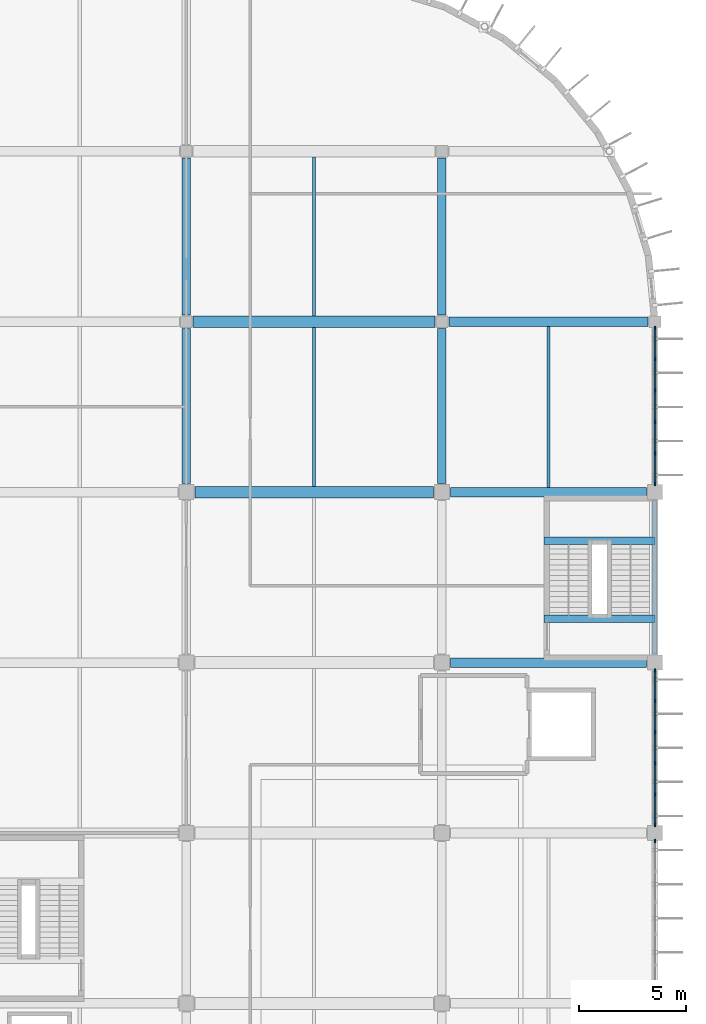
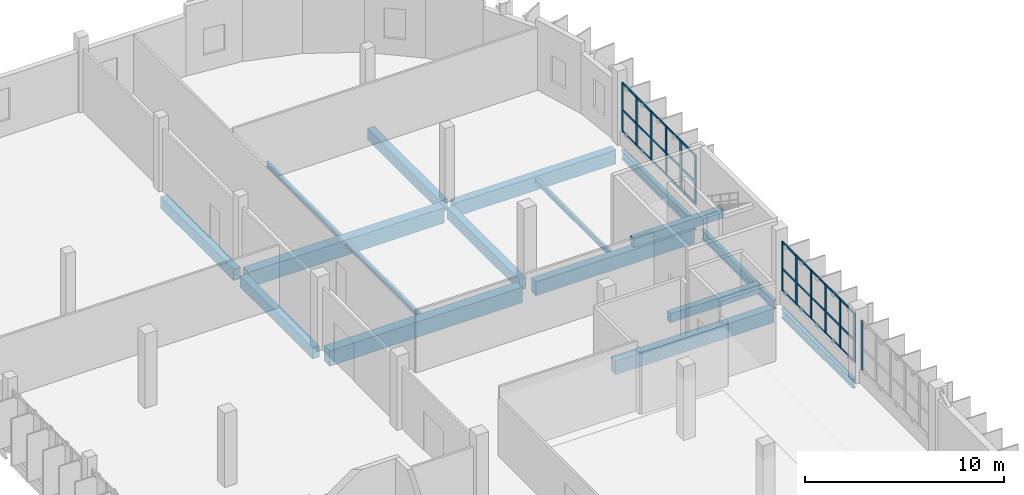
# One storey, part 49 of 93: 43 members, 17 beams, 3 elements without a shape of their own.
"""IFC4 building model written with IfcOpenShell, lengths in metres."""

from ifc_helpers import new_model, si_unit, direction, frame, origin, origin_2d, place, context, subcontext, project, spatial, rectangle, i_section, extrude, material, layer, layer_set, material_profile, profile_set, type_object, element, aggregate, save


model = new_model("IFC4")

# Units and contexts
model_context = context("Model", 3, precision=1e-05, world=origin(), true_north=direction((0.0, 1.0)))
body_context = subcontext(model_context, "Body", "Model", "MODEL_VIEW")
ifc_project = project(units=[si_unit("LENGTHUNIT", "METRE"), si_unit("AREAUNIT", "SQUARE_METRE"), si_unit("VOLUMEUNIT", "CUBIC_METRE"), si_unit("PLANEANGLEUNIT", "RADIAN"), si_unit("MASSUNIT", "GRAM", prefix="KILO")], contexts=[model_context])

# Site, building, storey
site_placement = place(None, origin())
site = spatial("IfcSite", under=ifc_project, at=site_placement, CompositionType="ELEMENT")
building_placement = place(site_placement, origin())
building = spatial("IfcBuilding", under=site, at=building_placement, Name="Drelvana Railside Aquatics Centre", CompositionType="ELEMENT")
storey_placement = place(building_placement, frame((0.0, 0.0, 5.39990234375)))
storey = spatial("IfcBuildingStorey", under=building, at=storey_placement, Name="L01", CompositionType="ELEMENT", Elevation=5.39990234375)

# Curtain wall, member
ifc_material_1 = material(Name="Bronze-anodised aluminium curtain wall", Category="aluminium")
ifc_layer = layer(ifc_material_1, 0.175048828125, Name="Bronze-anodised aluminium curtain wall")
ifc_layer_set = layer_set([ifc_layer], Name="Bronze-anodised aluminium curtain wall")
curtain_wall_type = type_object("IfcCurtainWallType", Name="CW-Z6-WING", PredefinedType="NOTDEFINED", material=ifc_layer_set)
curtain_wall_1_placement = place(storey_placement, origin())
curtain_wall_1 = element("IfcCurtainWall", 1, at=curtain_wall_1_placement, inside=storey, type_object=curtain_wall_type, Name="Curtain wall CW-06-176", PredefinedType="NOTDEFINED")
ifc_material_2 = material(Name="Bronze-anodised aluminium 6063-T6", Category="aluminium")
ifc_material_profile_1 = material_profile(ifc_material_2, rectangle(XDim=0.06494140625, YDim=0.175048828125, at=origin_2d()), Name="ALU-M 65x175")
ifc_profile_set_1 = profile_set([ifc_material_profile_1], Name="Bronze-anodised aluminium 6063-T6")
member_type_1 = type_object("IfcMemberType", Name="CW-Z6-WING-MUL", PredefinedType="MULLION", material=ifc_profile_set_1)
member_1_placement = place(storey_placement, frame((184.0, 63.62353515625, 0.794189453125), z_axis=(0.0, 0.0, 1.0), x_axis=(-1.0, 0.0, 0.0)))
member_1 = element("IfcMember", 2, at=member_1_placement, type_object=member_type_1, Name="CW-06 mullion 6", PredefinedType="MULLION", context=body_context, shape_type="SweptSolid", body=[
    extrude(rectangle(XDim=0.06494140625, YDim=0.175048828125, at=origin_2d()), origin(), (0.0, 0.0, 1.0), 3.005859375),
])
aggregate(curtain_wall_1, [member_1])

# Curtain wall, members
curtain_wall_2_placement = place(storey_placement, origin())
curtain_wall_2 = element("IfcCurtainWall", 3, at=curtain_wall_2_placement, inside=storey, type_object=curtain_wall_type, Name="Curtain wall CW-06-180", PredefinedType="NOTDEFINED")
member_2_placement = place(storey_placement, frame((184.0, 64.37646484375, 0.794189453125), z_axis=(0.0, 0.0, 1.0), x_axis=(-1.0, 0.0, 0.0)))
member_2 = element("IfcMember", 4, at=member_2_placement, type_object=member_type_1, Name="CW-06 mullion 1", PredefinedType="MULLION", context=body_context, shape_type="SweptSolid", body=[
    extrude(rectangle(XDim=0.06494140625, YDim=0.175048828125, at=origin_2d()), origin(), (0.0, 0.0, 1.0), 3.005859375),
])
member_3_placement = place(storey_placement, frame((184.0, 65.806396484375, 0.794189453125), z_axis=(0.0, 0.0, 1.0), x_axis=(-1.0, 0.0, 0.0)))
member_3 = element("IfcMember", 5, at=member_3_placement, type_object=member_type_1, Name="CW-06 mullion 2", PredefinedType="MULLION", context=body_context, shape_type="SweptSolid", body=[
    extrude(rectangle(XDim=0.06494140625, YDim=0.175048828125, at=origin_2d()), origin(), (0.0, 0.0, 1.0), 3.005859375),
])
member_4_placement = place(storey_placement, frame((184.0, 67.268798828125, 0.794189453125), z_axis=(0.0, 0.0, 1.0), x_axis=(-1.0, 0.0, 0.0)))
member_4 = element("IfcMember", 6, at=member_4_placement, type_object=member_type_1, Name="CW-06 mullion 3", PredefinedType="MULLION", context=body_context, shape_type="SweptSolid", body=[
    extrude(rectangle(XDim=0.06494140625, YDim=0.175048828125, at=origin_2d()), origin(), (0.0, 0.0, 1.0), 3.005859375),
])
member_5_placement = place(storey_placement, frame((184.0, 68.731201171875, 0.794189453125), z_axis=(0.0, 0.0, 1.0), x_axis=(-1.0, 0.0, 0.0)))
member_5 = element("IfcMember", 7, at=member_5_placement, type_object=member_type_1, Name="CW-06 mullion 4", PredefinedType="MULLION", context=body_context, shape_type="SweptSolid", body=[
    extrude(rectangle(XDim=0.06494140625, YDim=0.175048828125, at=origin_2d()), origin(), (0.0, 0.0, 1.0), 3.005859375),
])
member_6_placement = place(storey_placement, frame((184.0, 70.193603515625, 0.794189453125), z_axis=(0.0, 0.0, 1.0), x_axis=(-1.0, 0.0, 0.0)))
member_6 = element("IfcMember", 8, at=member_6_placement, type_object=member_type_1, Name="CW-06 mullion 5", PredefinedType="MULLION", context=body_context, shape_type="SweptSolid", body=[
    extrude(rectangle(XDim=0.06494140625, YDim=0.175048828125, at=origin_2d()), origin(), (0.0, 0.0, 1.0), 3.005859375),
])
member_7_placement = place(storey_placement, frame((184.0, 71.62353515625, 0.794189453125), z_axis=(0.0, 0.0, 1.0), x_axis=(-1.0, 0.0, 0.0)))
member_7 = element("IfcMember", 9, at=member_7_placement, type_object=member_type_1, Name="CW-06 mullion 6", PredefinedType="MULLION", context=body_context, shape_type="SweptSolid", body=[
    extrude(rectangle(XDim=0.06494140625, YDim=0.175048828125, at=origin_2d()), origin(), (0.0, 0.0, 1.0), 3.005859375),
])

curtain_wall_3_placement = place(storey_placement, origin())
curtain_wall_3 = element("IfcCurtainWall", 10, at=curtain_wall_3_placement, inside=storey, type_object=curtain_wall_type, Name="Curtain wall CW-06-185", PredefinedType="NOTDEFINED")
member_8_placement = place(storey_placement, frame((184.0, 80.37646484375, 0.794189453125), z_axis=(0.0, 0.0, 1.0), x_axis=(-1.0, 0.0, 0.0)))
member_8 = element("IfcMember", 11, at=member_8_placement, type_object=member_type_1, Name="CW-06 mullion 1", PredefinedType="MULLION", context=body_context, shape_type="SweptSolid", body=[
    extrude(rectangle(XDim=0.06494140625, YDim=0.175048828125, at=origin_2d()), origin(), (0.0, 0.0, 1.0), 3.005859375),
])
member_9_placement = place(storey_placement, frame((184.0, 81.8212890625, 0.794189453125), z_axis=(0.0, 0.0, 1.0), x_axis=(-1.0, 0.0, 0.0)))
member_9 = element("IfcMember", 12, at=member_9_placement, type_object=member_type_1, Name="CW-06 mullion 2", PredefinedType="MULLION", context=body_context, shape_type="SweptSolid", body=[
    extrude(rectangle(XDim=0.06494140625, YDim=0.175048828125, at=origin_2d()), origin(), (0.0, 0.0, 1.0), 3.005859375),
])
member_10_placement = place(storey_placement, frame((184.0, 83.298828125, 0.794189453125), z_axis=(0.0, 0.0, 1.0), x_axis=(-1.0, 0.0, 0.0)))
member_10 = element("IfcMember", 13, at=member_10_placement, type_object=member_type_1, Name="CW-06 mullion 3", PredefinedType="MULLION", context=body_context, shape_type="SweptSolid", body=[
    extrude(rectangle(XDim=0.06494140625, YDim=0.175048828125, at=origin_2d()), origin(), (0.0, 0.0, 1.0), 3.005859375),
])
member_11_placement = place(storey_placement, frame((184.0, 84.776123046875, 0.794189453125), z_axis=(0.0, 0.0, 1.0), x_axis=(-1.0, 0.0, 0.0)))
member_11 = element("IfcMember", 14, at=member_11_placement, type_object=member_type_1, Name="CW-06 mullion 4", PredefinedType="MULLION", context=body_context, shape_type="SweptSolid", body=[
    extrude(rectangle(XDim=0.06494140625, YDim=0.175048828125, at=origin_2d()), origin(), (0.0, 0.0, 1.0), 3.005859375),
])
member_12_placement = place(storey_placement, frame((184.0, 86.253662109375, 0.794189453125), z_axis=(0.0, 0.0, 1.0), x_axis=(-1.0, 0.0, 0.0)))
member_12 = element("IfcMember", 15, at=member_12_placement, type_object=member_type_1, Name="CW-06 mullion 5", PredefinedType="MULLION", context=body_context, shape_type="SweptSolid", body=[
    extrude(rectangle(XDim=0.06494140625, YDim=0.175048828125, at=origin_2d()), origin(), (0.0, 0.0, 1.0), 3.005859375),
])
member_13_placement = place(storey_placement, frame((184.0, 87.698486328125, 0.794189453125), z_axis=(0.0, 0.0, 1.0), x_axis=(-1.0, 0.0, 0.0)))
member_13 = element("IfcMember", 16, at=member_13_placement, type_object=member_type_1, Name="CW-06 mullion 6", PredefinedType="MULLION", context=body_context, shape_type="SweptSolid", body=[
    extrude(rectangle(XDim=0.06494140625, YDim=0.175048828125, at=origin_2d()), origin(), (0.0, 0.0, 1.0), 3.005859375),
])

# Member
ifc_material_profile_2 = material_profile(ifc_material_2, rectangle(XDim=0.1201171875, YDim=0.06005859375, at=origin_2d()), Name="ALU-T 60x120")
ifc_profile_set_2 = profile_set([ifc_material_profile_2], Name="Bronze-anodised aluminium 6063-T6")
member_type_2 = type_object("IfcMemberType", Name="CW-Z6-WING-TRN", PredefinedType="USERDEFINED", material=ifc_profile_set_2)
member_14_placement = place(storey_placement, frame((184.0, 64.404052734375, 0.82421875), z_axis=(0.0, 1.0, 0.0), x_axis=(0.0, 0.0, 1.0)))
member_14 = element("IfcMember", 17, at=member_14_placement, type_object=member_type_2, Name="CW-06 transom 1.1", ObjectType="TRANSOM", PredefinedType="USERDEFINED", context=body_context, shape_type="SweptSolid", body=[
    extrude(rectangle(XDim=0.1201171875, YDim=0.06005859375, at=origin_2d()), origin(), (0.0, 0.0, 1.0), 1.374755859375),
])

member_15_placement = place(storey_placement, frame((184.0, 64.404052734375, 2.147216796875), z_axis=(0.0, 1.0, 0.0), x_axis=(0.0, 0.0, 1.0)))
member_15 = element("IfcMember", 18, at=member_15_placement, type_object=member_type_2, Name="CW-06 transom 1.2", ObjectType="TRANSOM", PredefinedType="USERDEFINED", context=body_context, shape_type="SweptSolid", body=[
    extrude(rectangle(XDim=0.1201171875, YDim=0.06005859375, at=origin_2d()), origin(), (0.0, 0.0, 1.0), 1.374755859375),
])

member_16_placement = place(storey_placement, frame((184.0, 64.404052734375, 3.77001953125), z_axis=(0.0, 1.0, 0.0), x_axis=(0.0, 0.0, 1.0)))
member_16 = element("IfcMember", 19, at=member_16_placement, type_object=member_type_2, Name="CW-06 transom 1.3", ObjectType="TRANSOM", PredefinedType="USERDEFINED", context=body_context, shape_type="SweptSolid", body=[
    extrude(rectangle(XDim=0.1201171875, YDim=0.06005859375, at=origin_2d()), origin(), (0.0, 0.0, 1.0), 1.374755859375),
])

member_17_placement = place(storey_placement, frame((184.0, 65.833984375, 0.82421875), z_axis=(0.0, 1.0, 0.0), x_axis=(0.0, 0.0, 1.0)))
member_17 = element("IfcMember", 20, at=member_17_placement, type_object=member_type_2, Name="CW-06 transom 2.1", ObjectType="TRANSOM", PredefinedType="USERDEFINED", context=body_context, shape_type="SweptSolid", body=[
    extrude(rectangle(XDim=0.1201171875, YDim=0.06005859375, at=origin_2d()), origin(), (0.0, 0.0, 1.0), 1.4072265625),
])

member_18_placement = place(storey_placement, frame((184.0, 65.833984375, 2.147216796875), z_axis=(0.0, 1.0, 0.0), x_axis=(0.0, 0.0, 1.0)))
member_18 = element("IfcMember", 21, at=member_18_placement, type_object=member_type_2, Name="CW-06 transom 2.2", ObjectType="TRANSOM", PredefinedType="USERDEFINED", context=body_context, shape_type="SweptSolid", body=[
    extrude(rectangle(XDim=0.1201171875, YDim=0.06005859375, at=origin_2d()), origin(), (0.0, 0.0, 1.0), 1.4072265625),
])

member_19_placement = place(storey_placement, frame((184.0, 65.833984375, 3.77001953125), z_axis=(0.0, 1.0, 0.0), x_axis=(0.0, 0.0, 1.0)))
member_19 = element("IfcMember", 22, at=member_19_placement, type_object=member_type_2, Name="CW-06 transom 2.3", ObjectType="TRANSOM", PredefinedType="USERDEFINED", context=body_context, shape_type="SweptSolid", body=[
    extrude(rectangle(XDim=0.1201171875, YDim=0.06005859375, at=origin_2d()), origin(), (0.0, 0.0, 1.0), 1.4072265625),
])

member_20_placement = place(storey_placement, frame((184.0, 67.29638671875, 0.82421875), z_axis=(0.0, 1.0, 0.0), x_axis=(0.0, 0.0, 1.0)))
member_20 = element("IfcMember", 23, at=member_20_placement, type_object=member_type_2, Name="CW-06 transom 3.1", ObjectType="TRANSOM", PredefinedType="USERDEFINED", context=body_context, shape_type="SweptSolid", body=[
    extrude(rectangle(XDim=0.1201171875, YDim=0.06005859375, at=origin_2d()), origin(), (0.0, 0.0, 1.0), 1.4072265625),
])

member_21_placement = place(storey_placement, frame((184.0, 67.29638671875, 2.147216796875), z_axis=(0.0, 1.0, 0.0), x_axis=(0.0, 0.0, 1.0)))
member_21 = element("IfcMember", 24, at=member_21_placement, type_object=member_type_2, Name="CW-06 transom 3.2", ObjectType="TRANSOM", PredefinedType="USERDEFINED", context=body_context, shape_type="SweptSolid", body=[
    extrude(rectangle(XDim=0.1201171875, YDim=0.06005859375, at=origin_2d()), origin(), (0.0, 0.0, 1.0), 1.4072265625),
])

member_22_placement = place(storey_placement, frame((184.0, 67.29638671875, 3.77001953125), z_axis=(0.0, 1.0, 0.0), x_axis=(0.0, 0.0, 1.0)))
member_22 = element("IfcMember", 25, at=member_22_placement, type_object=member_type_2, Name="CW-06 transom 3.3", ObjectType="TRANSOM", PredefinedType="USERDEFINED", context=body_context, shape_type="SweptSolid", body=[
    extrude(rectangle(XDim=0.1201171875, YDim=0.06005859375, at=origin_2d()), origin(), (0.0, 0.0, 1.0), 1.4072265625),
])

member_23_placement = place(storey_placement, frame((184.0, 68.7587890625, 0.82421875), z_axis=(0.0, 1.0, 0.0), x_axis=(0.0, 0.0, 1.0)))
member_23 = element("IfcMember", 26, at=member_23_placement, type_object=member_type_2, Name="CW-06 transom 4.1", ObjectType="TRANSOM", PredefinedType="USERDEFINED", context=body_context, shape_type="SweptSolid", body=[
    extrude(rectangle(XDim=0.1201171875, YDim=0.06005859375, at=origin_2d()), origin(), (0.0, 0.0, 1.0), 1.4072265625),
])

member_24_placement = place(storey_placement, frame((184.0, 68.7587890625, 2.147216796875), z_axis=(0.0, 1.0, 0.0), x_axis=(0.0, 0.0, 1.0)))
member_24 = element("IfcMember", 27, at=member_24_placement, type_object=member_type_2, Name="CW-06 transom 4.2", ObjectType="TRANSOM", PredefinedType="USERDEFINED", context=body_context, shape_type="SweptSolid", body=[
    extrude(rectangle(XDim=0.1201171875, YDim=0.06005859375, at=origin_2d()), origin(), (0.0, 0.0, 1.0), 1.4072265625),
])

member_25_placement = place(storey_placement, frame((184.0, 68.7587890625, 3.77001953125), z_axis=(0.0, 1.0, 0.0), x_axis=(0.0, 0.0, 1.0)))
member_25 = element("IfcMember", 28, at=member_25_placement, type_object=member_type_2, Name="CW-06 transom 4.3", ObjectType="TRANSOM", PredefinedType="USERDEFINED", context=body_context, shape_type="SweptSolid", body=[
    extrude(rectangle(XDim=0.1201171875, YDim=0.06005859375, at=origin_2d()), origin(), (0.0, 0.0, 1.0), 1.4072265625),
])

member_26_placement = place(storey_placement, frame((184.0, 70.22119140625, 0.82421875), z_axis=(0.0, 1.0, 0.0), x_axis=(0.0, 0.0, 1.0)))
member_26 = element("IfcMember", 29, at=member_26_placement, type_object=member_type_2, Name="CW-06 transom 5.1", ObjectType="TRANSOM", PredefinedType="USERDEFINED", context=body_context, shape_type="SweptSolid", body=[
    extrude(rectangle(XDim=0.1201171875, YDim=0.06005859375, at=origin_2d()), origin(), (0.0, 0.0, 1.0), 1.374755859375),
])

member_27_placement = place(storey_placement, frame((184.0, 70.22119140625, 2.147216796875), z_axis=(0.0, 1.0, 0.0), x_axis=(0.0, 0.0, 1.0)))
member_27 = element("IfcMember", 30, at=member_27_placement, type_object=member_type_2, Name="CW-06 transom 5.2", ObjectType="TRANSOM", PredefinedType="USERDEFINED", context=body_context, shape_type="SweptSolid", body=[
    extrude(rectangle(XDim=0.1201171875, YDim=0.06005859375, at=origin_2d()), origin(), (0.0, 0.0, 1.0), 1.374755859375),
])

member_28_placement = place(storey_placement, frame((184.0, 70.22119140625, 3.77001953125), z_axis=(0.0, 1.0, 0.0), x_axis=(0.0, 0.0, 1.0)))
member_28 = element("IfcMember", 31, at=member_28_placement, type_object=member_type_2, Name="CW-06 transom 5.3", ObjectType="TRANSOM", PredefinedType="USERDEFINED", context=body_context, shape_type="SweptSolid", body=[
    extrude(rectangle(XDim=0.1201171875, YDim=0.06005859375, at=origin_2d()), origin(), (0.0, 0.0, 1.0), 1.374755859375),
])

aggregate(curtain_wall_2, [member_2, member_3, member_4, member_5, member_6, member_7, member_14, member_15, member_16, member_17, member_18, member_19, member_20, member_21, member_22, member_23, member_24, member_25, member_26, member_27, member_28])

member_29_placement = place(storey_placement, frame((184.0, 80.404052734375, 0.82421875), z_axis=(0.0, 1.0, 0.0), x_axis=(0.0, 0.0, 1.0)))
member_29 = element("IfcMember", 32, at=member_29_placement, type_object=member_type_2, Name="CW-06 transom 1.1", ObjectType="TRANSOM", PredefinedType="USERDEFINED", context=body_context, shape_type="SweptSolid", body=[
    extrude(rectangle(XDim=0.1201171875, YDim=0.06005859375, at=origin_2d()), origin(), (0.0, 0.0, 1.0), 1.389892578125),
])

member_30_placement = place(storey_placement, frame((184.0, 80.404052734375, 2.147216796875), z_axis=(0.0, 1.0, 0.0), x_axis=(0.0, 0.0, 1.0)))
member_30 = element("IfcMember", 33, at=member_30_placement, type_object=member_type_2, Name="CW-06 transom 1.2", ObjectType="TRANSOM", PredefinedType="USERDEFINED", context=body_context, shape_type="SweptSolid", body=[
    extrude(rectangle(XDim=0.1201171875, YDim=0.06005859375, at=origin_2d()), origin(), (0.0, 0.0, 1.0), 1.389892578125),
])

member_31_placement = place(storey_placement, frame((184.0, 80.404052734375, 3.77001953125), z_axis=(0.0, 1.0, 0.0), x_axis=(0.0, 0.0, 1.0)))
member_31 = element("IfcMember", 34, at=member_31_placement, type_object=member_type_2, Name="CW-06 transom 1.3", ObjectType="TRANSOM", PredefinedType="USERDEFINED", context=body_context, shape_type="SweptSolid", body=[
    extrude(rectangle(XDim=0.1201171875, YDim=0.06005859375, at=origin_2d()), origin(), (0.0, 0.0, 1.0), 1.389892578125),
])

member_32_placement = place(storey_placement, frame((184.0, 81.848876953125, 0.82421875), z_axis=(0.0, 1.0, 0.0), x_axis=(0.0, 0.0, 1.0)))
member_32 = element("IfcMember", 35, at=member_32_placement, type_object=member_type_2, Name="CW-06 transom 2.1", ObjectType="TRANSOM", PredefinedType="USERDEFINED", context=body_context, shape_type="SweptSolid", body=[
    extrude(rectangle(XDim=0.1201171875, YDim=0.06005859375, at=origin_2d()), origin(), (0.0, 0.0, 1.0), 1.42236328125),
])

member_33_placement = place(storey_placement, frame((184.0, 81.848876953125, 2.147216796875), z_axis=(0.0, 1.0, 0.0), x_axis=(0.0, 0.0, 1.0)))
member_33 = element("IfcMember", 36, at=member_33_placement, type_object=member_type_2, Name="CW-06 transom 2.2", ObjectType="TRANSOM", PredefinedType="USERDEFINED", context=body_context, shape_type="SweptSolid", body=[
    extrude(rectangle(XDim=0.1201171875, YDim=0.06005859375, at=origin_2d()), origin(), (0.0, 0.0, 1.0), 1.42236328125),
])

member_34_placement = place(storey_placement, frame((184.0, 81.848876953125, 3.77001953125), z_axis=(0.0, 1.0, 0.0), x_axis=(0.0, 0.0, 1.0)))
member_34 = element("IfcMember", 37, at=member_34_placement, type_object=member_type_2, Name="CW-06 transom 2.3", ObjectType="TRANSOM", PredefinedType="USERDEFINED", context=body_context, shape_type="SweptSolid", body=[
    extrude(rectangle(XDim=0.1201171875, YDim=0.06005859375, at=origin_2d()), origin(), (0.0, 0.0, 1.0), 1.42236328125),
])

member_35_placement = place(storey_placement, frame((184.0, 83.326416015625, 0.82421875), z_axis=(0.0, 1.0, 0.0), x_axis=(0.0, 0.0, 1.0)))
member_35 = element("IfcMember", 38, at=member_35_placement, type_object=member_type_2, Name="CW-06 transom 3.1", ObjectType="TRANSOM", PredefinedType="USERDEFINED", context=body_context, shape_type="SweptSolid", body=[
    extrude(rectangle(XDim=0.1201171875, YDim=0.06005859375, at=origin_2d()), origin(), (0.0, 0.0, 1.0), 1.42236328125),
])

member_36_placement = place(storey_placement, frame((184.0, 83.326416015625, 2.147216796875), z_axis=(0.0, 1.0, 0.0), x_axis=(0.0, 0.0, 1.0)))
member_36 = element("IfcMember", 39, at=member_36_placement, type_object=member_type_2, Name="CW-06 transom 3.2", ObjectType="TRANSOM", PredefinedType="USERDEFINED", context=body_context, shape_type="SweptSolid", body=[
    extrude(rectangle(XDim=0.1201171875, YDim=0.06005859375, at=origin_2d()), origin(), (0.0, 0.0, 1.0), 1.42236328125),
])

member_37_placement = place(storey_placement, frame((184.0, 83.326416015625, 3.77001953125), z_axis=(0.0, 1.0, 0.0), x_axis=(0.0, 0.0, 1.0)))
member_37 = element("IfcMember", 40, at=member_37_placement, type_object=member_type_2, Name="CW-06 transom 3.3", ObjectType="TRANSOM", PredefinedType="USERDEFINED", context=body_context, shape_type="SweptSolid", body=[
    extrude(rectangle(XDim=0.1201171875, YDim=0.06005859375, at=origin_2d()), origin(), (0.0, 0.0, 1.0), 1.42236328125),
])

member_38_placement = place(storey_placement, frame((184.0, 84.8037109375, 0.82421875), z_axis=(0.0, 1.0, 0.0), x_axis=(0.0, 0.0, 1.0)))
member_38 = element("IfcMember", 41, at=member_38_placement, type_object=member_type_2, Name="CW-06 transom 4.1", ObjectType="TRANSOM", PredefinedType="USERDEFINED", context=body_context, shape_type="SweptSolid", body=[
    extrude(rectangle(XDim=0.1201171875, YDim=0.06005859375, at=origin_2d()), origin(), (0.0, 0.0, 1.0), 1.42236328125),
])

member_39_placement = place(storey_placement, frame((184.0, 84.8037109375, 2.147216796875), z_axis=(0.0, 1.0, 0.0), x_axis=(0.0, 0.0, 1.0)))
member_39 = element("IfcMember", 42, at=member_39_placement, type_object=member_type_2, Name="CW-06 transom 4.2", ObjectType="TRANSOM", PredefinedType="USERDEFINED", context=body_context, shape_type="SweptSolid", body=[
    extrude(rectangle(XDim=0.1201171875, YDim=0.06005859375, at=origin_2d()), origin(), (0.0, 0.0, 1.0), 1.42236328125),
])

member_40_placement = place(storey_placement, frame((184.0, 84.8037109375, 3.77001953125), z_axis=(0.0, 1.0, 0.0), x_axis=(0.0, 0.0, 1.0)))
member_40 = element("IfcMember", 43, at=member_40_placement, type_object=member_type_2, Name="CW-06 transom 4.3", ObjectType="TRANSOM", PredefinedType="USERDEFINED", context=body_context, shape_type="SweptSolid", body=[
    extrude(rectangle(XDim=0.1201171875, YDim=0.06005859375, at=origin_2d()), origin(), (0.0, 0.0, 1.0), 1.42236328125),
])

member_41_placement = place(storey_placement, frame((184.0, 86.281005859375, 0.82421875), z_axis=(0.0, 1.0, 0.0), x_axis=(0.0, 0.0, 1.0)))
member_41 = element("IfcMember", 44, at=member_41_placement, type_object=member_type_2, Name="CW-06 transom 5.1", ObjectType="TRANSOM", PredefinedType="USERDEFINED", context=body_context, shape_type="SweptSolid", body=[
    extrude(rectangle(XDim=0.1201171875, YDim=0.06005859375, at=origin_2d()), origin(), (0.0, 0.0, 1.0), 1.389892578125),
])

member_42_placement = place(storey_placement, frame((184.0, 86.281005859375, 2.147216796875), z_axis=(0.0, 1.0, 0.0), x_axis=(0.0, 0.0, 1.0)))
member_42 = element("IfcMember", 45, at=member_42_placement, type_object=member_type_2, Name="CW-06 transom 5.2", ObjectType="TRANSOM", PredefinedType="USERDEFINED", context=body_context, shape_type="SweptSolid", body=[
    extrude(rectangle(XDim=0.1201171875, YDim=0.06005859375, at=origin_2d()), origin(), (0.0, 0.0, 1.0), 1.389892578125),
])

member_43_placement = place(storey_placement, frame((184.0, 86.281005859375, 3.77001953125), z_axis=(0.0, 1.0, 0.0), x_axis=(0.0, 0.0, 1.0)))
member_43 = element("IfcMember", 46, at=member_43_placement, type_object=member_type_2, Name="CW-06 transom 5.3", ObjectType="TRANSOM", PredefinedType="USERDEFINED", context=body_context, shape_type="SweptSolid", body=[
    extrude(rectangle(XDim=0.1201171875, YDim=0.06005859375, at=origin_2d()), origin(), (0.0, 0.0, 1.0), 1.389892578125),
])

aggregate(curtain_wall_3, [member_8, member_9, member_10, member_11, member_12, member_13, member_29, member_30, member_31, member_32, member_33, member_34, member_35, member_36, member_37, member_38, member_39, member_40, member_41, member_42, member_43])

# Beams
ifc_material_3 = material(Name="Concrete C40/50", Category="concrete")
ifc_material_profile_3 = material_profile(ifc_material_3, rectangle(XDim=0.35009765625, YDim=0.550048828125, at=origin_2d()), Name="RC 350x550")
ifc_profile_set_3 = profile_set([ifc_material_profile_3], Name="Concrete C40/50")
beam_type_1 = type_object("IfcBeamType", Name="STR-BM-BM-01-RC-350x550", PredefinedType="BEAM", material=ifc_profile_set_3)
for number, where, z_axis, x_axis, name in (
    (47, (178.800048828125, 74.050048828125, -0.474853515625), (1.0, 0.0, 0.0), (0.0, 1.0, 0.0), "Stair ST-07 L01 landing beam"),
    (48, (178.800048828125, 77.7099609375, 1.925048828125), (1.0, 0.0, 0.0), (0.0, 1.0, 0.0), "Stair ST-07 L01 mid-landing beam"),
):
    element("IfcBeam", number, at=place(storey_placement, frame(where, z_axis=z_axis, x_axis=x_axis)), inside=storey, type_object=beam_type_1, Name=name, PredefinedType="BEAM", context=body_context, shape_type="SweptSolid", body=[
        extrude(rectangle(XDim=0.35009765625, YDim=0.550048828125, at=origin_2d()), origin(), (0.0, 0.0, 1.0), 5.199951171875),
    ])
ifc_material_profile_4 = material_profile(ifc_material_3, rectangle(XDim=0.39990234375, YDim=0.699951171875, at=origin_2d()), Name="RC 400x700")
ifc_profile_set_4 = profile_set([ifc_material_profile_4], Name="Concrete C40/50")
beam_type_2 = type_object("IfcBeamType", Name="STR-BM-BM-03-RC-400x700", PredefinedType="BEAM", material=ifc_profile_set_4)
beam_1_placement = place(storey_placement, frame((162.0, 80.39990234375, -0.625), z_axis=(0.0, 1.0, 0.0), x_axis=(-1.0, 0.0, 0.0)))
element("IfcBeam", 49, at=beam_1_placement, inside=storey, type_object=beam_type_2, Name="Girder BM-03 (L01)", PredefinedType="BEAM", context=body_context, shape_type="SweptSolid", body=[
    extrude(rectangle(XDim=0.39990234375, YDim=0.699951171875, at=origin_2d()), origin(), (0.0, 0.0, 1.0), 7.275146484375),
])
beam_2_placement = place(storey_placement, frame((162.0, 88.324951171875, -0.625), z_axis=(0.0, 1.0, 0.0), x_axis=(-1.0, 0.0, 0.0)))
element("IfcBeam", 50, at=beam_2_placement, inside=storey, type_object=beam_type_2, Name="Girder BM-03 (L01)", PredefinedType="BEAM", context=body_context, shape_type="SweptSolid", body=[
    extrude(rectangle(XDim=0.39990234375, YDim=0.699951171875, at=origin_2d()), origin(), (0.0, 0.0, 1.0), 7.35009765625),
])
beam_3_placement = place(storey_placement, frame((174.0, 80.39990234375, -0.625), z_axis=(0.0, 1.0, 0.0), x_axis=(-1.0, 0.0, 0.0)))
element("IfcBeam", 51, at=beam_3_placement, inside=storey, type_object=beam_type_2, Name="Girder BM-03 (L01)", PredefinedType="BEAM", context=body_context, shape_type="SweptSolid", body=[
    extrude(rectangle(XDim=0.39990234375, YDim=0.699951171875, at=origin_2d()), origin(), (0.0, 0.0, 1.0), 7.275146484375),
])
beam_4_placement = place(storey_placement, frame((174.0, 88.324951171875, -0.625), z_axis=(0.0, 1.0, 0.0), x_axis=(-1.0, 0.0, 0.0)))
element("IfcBeam", 52, at=beam_4_placement, inside=storey, type_object=beam_type_2, Name="Girder BM-03 (L01)", PredefinedType="BEAM", context=body_context, shape_type="SweptSolid", body=[
    extrude(rectangle(XDim=0.39990234375, YDim=0.699951171875, at=origin_2d()), origin(), (0.0, 0.0, 1.0), 7.35009765625),
])
ifc_material_profile_5 = material_profile(ifc_material_3, rectangle(XDim=0.449951171875, YDim=0.85009765625, at=origin_2d()), Name="RC 450x850")
ifc_profile_set_5 = profile_set([ifc_material_profile_5], Name="Concrete C40/50")
beam_type_3 = type_object("IfcBeamType", Name="STR-BM-BM-05-RC-450x850", PredefinedType="BEAM", material=ifc_profile_set_5)
for number, where, z_axis, x_axis, name in (
    (53, (174.39990234375, 72.0, -0.699951171875), (1.0, 0.0, 0.0), (0.0, 1.0, 0.0), "Girder BM-05 (L01)"),
    (54, (174.39990234375, 80.0, -0.699951171875), (1.0, 0.0, 0.0), (0.0, 1.0, 0.0), "Girder BM-05 (L01)"),
):
    element("IfcBeam", number, at=place(storey_placement, frame(where, z_axis=z_axis, x_axis=x_axis)), inside=storey, type_object=beam_type_3, Name=name, PredefinedType="BEAM", context=body_context, shape_type="SweptSolid", body=[
        extrude(rectangle(XDim=0.449951171875, YDim=0.85009765625, at=origin_2d()), origin(), (0.0, 0.0, 1.0), 9.2001953125),
    ])
beam_5_placement = place(storey_placement, frame((174.324951171875, 88.0, -0.699951171875), z_axis=(1.0, 0.0, 0.0), x_axis=(0.0, 1.0, 0.0)))
element("IfcBeam", 55, at=beam_5_placement, inside=storey, type_object=beam_type_3, Name="Girder BM-05 (L01)", PredefinedType="BEAM", context=body_context, shape_type="SweptSolid", body=[
    extrude(rectangle(XDim=0.449951171875, YDim=0.85009765625, at=origin_2d()), origin(), (0.0, 0.0, 1.0), 9.35009765625),
])
ifc_material_profile_6 = material_profile(ifc_material_3, rectangle(XDim=0.550048828125, YDim=0.949951171875, at=origin_2d()), Name="RC 550x950")
ifc_profile_set_6 = profile_set([ifc_material_profile_6], Name="Concrete C40/50")
beam_type_4 = type_object("IfcBeamType", Name="STR-BM-BM-08-RC-550x950", PredefinedType="BEAM", material=ifc_profile_set_6)
beam_6_placement = place(storey_placement, frame((162.39990234375, 80.0, -0.75), z_axis=(1.0, 0.0, 0.0), x_axis=(0.0, 1.0, 0.0)))
element("IfcBeam", 56, at=beam_6_placement, inside=storey, type_object=beam_type_4, Name="Girder BM-08 (L01)", PredefinedType="BEAM", context=body_context, shape_type="SweptSolid", body=[
    extrude(rectangle(XDim=0.550048828125, YDim=0.949951171875, at=origin_2d()), origin(), (0.0, 0.0, 1.0), 11.2001953125),
])
beam_7_placement = place(storey_placement, frame((162.324951171875, 88.0, -0.75), z_axis=(1.0, 0.0, 0.0), x_axis=(0.0, 1.0, 0.0)))
element("IfcBeam", 57, at=beam_7_placement, inside=storey, type_object=beam_type_4, Name="Girder BM-08 (L01)", PredefinedType="BEAM", context=body_context, shape_type="SweptSolid", body=[
    extrude(rectangle(XDim=0.550048828125, YDim=0.949951171875, at=origin_2d()), origin(), (0.0, 0.0, 1.0), 11.35009765625),
])
ifc_material_4 = material(Name="Structural steel S355", Category="steel")
ifc_material_profile_7 = material_profile(ifc_material_4, i_section(OverallWidth=0.2099609375, OverallDepth=0.550048828125, WebThickness=0.010986328125, FlangeThickness=0.01708984375, at=origin_2d()), Name="IPE 550")
ifc_profile_set_7 = profile_set([ifc_material_profile_7], Name="Structural steel S355")
beam_type_5 = type_object("IfcBeamType", Name="STR-SBM-SB-04-IPE-550", PredefinedType="SPANDREL", material=ifc_profile_set_7)
for number, where, z_axis, x_axis, name in (
    (58, (184.0, 64.39990234375, -0.5498046875), (0.0, 1.0, 0.0), (-1.0, 0.0, 0.0), "Girder SB-04 (L01)"),
    (59, (184.0, 72.39990234375, -0.5498046875), (0.0, 1.0, 0.0), (-1.0, 0.0, 0.0), "Girder SB-04 (L01)"),
):
    element("IfcBeam", number, at=place(storey_placement, frame(where, z_axis=z_axis, x_axis=x_axis)), inside=storey, type_object=beam_type_5, Name=name, PredefinedType="SPANDREL", context=body_context, shape_type="SweptSolid", body=[
        extrude(i_section(OverallWidth=0.2099609375, OverallDepth=0.550048828125, WebThickness=0.010986328125, FlangeThickness=0.01708984375, at=origin_2d()), origin(), (0.0, 0.0, 1.0), 7.2001953125),
    ])
beam_8_placement = place(storey_placement, frame((184.0, 80.39990234375, -0.5498046875), z_axis=(0.0, 1.0, 0.0), x_axis=(-1.0, 0.0, 0.0)))
element("IfcBeam", 60, at=beam_8_placement, inside=storey, type_object=beam_type_5, Name="Girder SB-04 (L01)", PredefinedType="SPANDREL", context=body_context, shape_type="SweptSolid", body=[
    extrude(i_section(OverallWidth=0.2099609375, OverallDepth=0.550048828125, WebThickness=0.010986328125, FlangeThickness=0.01708984375, at=origin_2d()), origin(), (0.0, 0.0, 1.0), 7.275146484375),
])
ifc_material_profile_8 = material_profile(ifc_material_4, i_section(OverallWidth=0.14990234375, OverallDepth=0.300048828125, WebThickness=0.007080078125, FlangeThickness=0.0107421875, at=origin_2d()), Name="IPE 300")
ifc_profile_set_8 = profile_set([ifc_material_profile_8], Name="Structural steel S355")
beam_type_6 = type_object("IfcBeamType", Name="STR-SBM-SJ-03-IPE-300", PredefinedType="JOIST", material=ifc_profile_set_8)
for number, where, z_axis, x_axis, name in (
    (61, (168.0, 80.27490234375, -0.4248046875), (0.0, 1.0, 0.0), (-1.0, 0.0, 0.0), "Secondary floor joist SJ-03 (L01)"),
    (62, (168.0, 88.27490234375, -0.4248046875), (0.0, 1.0, 0.0), (-1.0, 0.0, 0.0), "Secondary floor joist SJ-03 (L01)"),
):
    element("IfcBeam", number, at=place(storey_placement, frame(where, z_axis=z_axis, x_axis=x_axis)), inside=storey, type_object=beam_type_6, Name=name, PredefinedType="JOIST", context=body_context, shape_type="SweptSolid", body=[
        extrude(i_section(OverallWidth=0.14990234375, OverallDepth=0.300048828125, WebThickness=0.007080078125, FlangeThickness=0.0107421875, at=origin_2d()), origin(), (0.0, 0.0, 1.0), 7.4501953125),
    ])
beam_9_placement = place(storey_placement, frame((179.0, 80.22509765625, -0.4248046875), z_axis=(0.0, 1.0, 0.0), x_axis=(-1.0, 0.0, 0.0)))
element("IfcBeam", 63, at=beam_9_placement, inside=storey, type_object=beam_type_6, Name="Secondary floor joist SJ-03 (L01)", PredefinedType="JOIST", context=body_context, shape_type="SweptSolid", body=[
    extrude(i_section(OverallWidth=0.14990234375, OverallDepth=0.300048828125, WebThickness=0.007080078125, FlangeThickness=0.0107421875, at=origin_2d()), origin(), (0.0, 0.0, 1.0), 7.5498046875),
])

save(model, "model.ifc")
